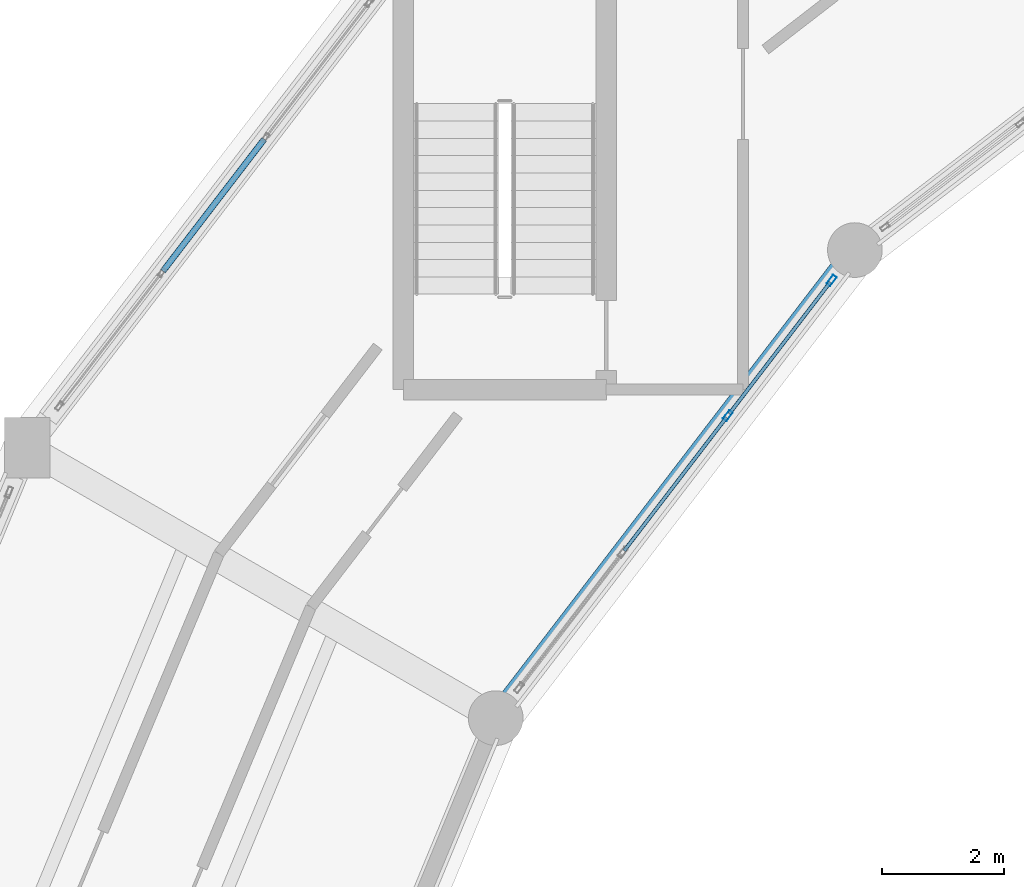
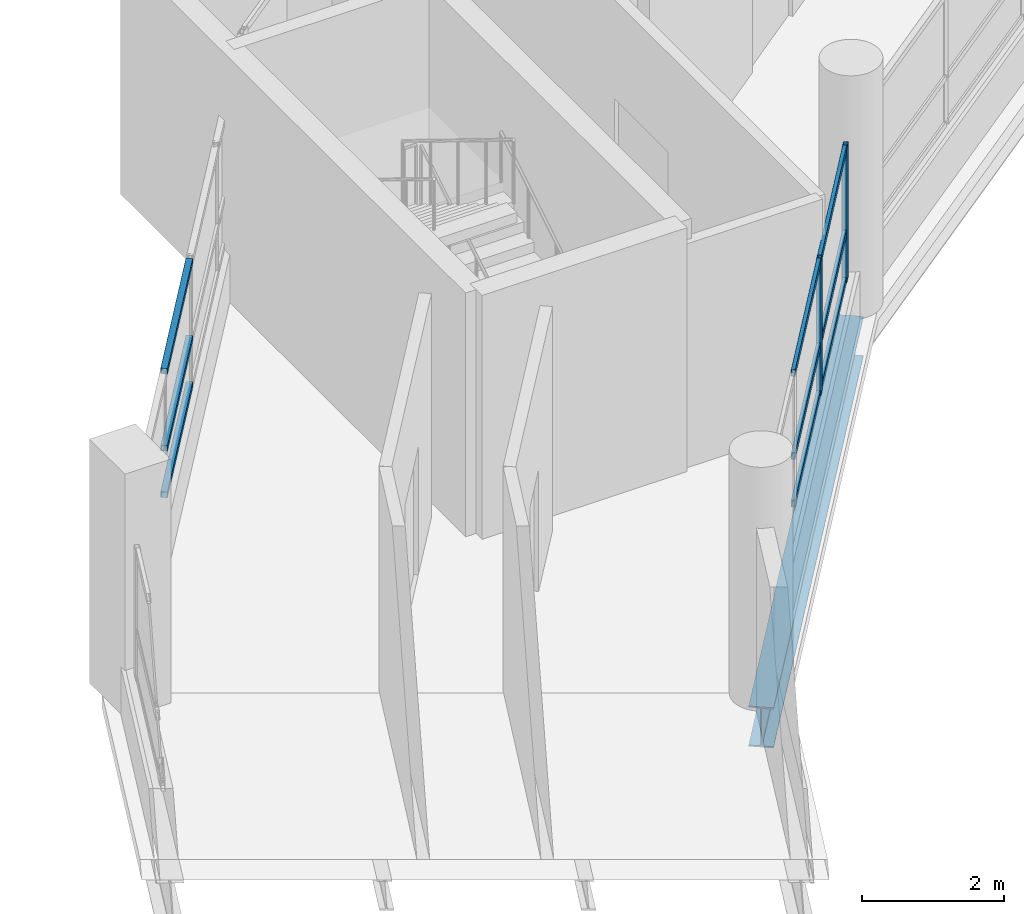
# One storey, part 51 of 128: 11 members, 1 beam, 2 elements without a shape of their own.
"""IFC4 building model written with IfcOpenShell, lengths in metres."""

from ifc_helpers import new_model, si_unit, direction, frame, origin, origin_2d, place, context, subcontext, project, spatial, hollow_rectangle, i_section, extrude, material, layer, layer_set, material_profile, profile_set, type_object, element, aggregate, save


model = new_model("IFC4")

# Units and contexts
model_context = context("Model", 3, precision=1e-05, world=origin(), true_north=direction((0.0, 1.0)))
body_context = subcontext(model_context, "Body", "Model", "MODEL_VIEW")
ifc_project = project(units=[si_unit("LENGTHUNIT", "METRE"), si_unit("AREAUNIT", "SQUARE_METRE"), si_unit("VOLUMEUNIT", "CUBIC_METRE"), si_unit("PLANEANGLEUNIT", "RADIAN"), si_unit("MASSUNIT", "GRAM", prefix="KILO")], contexts=[model_context])

# Site, building, storey
site_placement = place(None, origin())
site = spatial("IfcSite", under=ifc_project, at=site_placement, CompositionType="ELEMENT")
building_placement = place(site_placement, origin())
building = spatial("IfcBuilding", under=site, at=building_placement, Name="Vespera Passage Community Centre", CompositionType="ELEMENT")
storey_placement = place(building_placement, frame((0.0, 0.0, 4.5)))
storey = spatial("IfcBuildingStorey", under=building, at=storey_placement, Name="L01", CompositionType="ELEMENT", Elevation=4.5)

# Beam
ifc_material_1 = material(Name="Steel ASTM A992 Grade 50", Category="steel")
ifc_material_profile_1 = material_profile(ifc_material_1, i_section(OverallWidth=0.3544921875, OverallDepth=0.695556640625, WebThickness=0.015380859375, FlangeThickness=0.024658203125, FilletRadius=0.01513671875, at=origin_2d()), Name="W27X146")
ifc_profile_set_1 = profile_set([ifc_material_profile_1], Name="Steel ASTM A992 Grade 50")
beam_type = type_object("IfcBeamType", Name="BM-SP-W27X146E", PredefinedType="SPANDREL", material=ifc_profile_set_1)
beam_placement = place(storey_placement, frame((51.695556640625, 91.804443359375, -0.587890625), z_axis=(-0.60875291963, -0.793359869694, 0.0), x_axis=(0.793359869694, -0.60875291963, 0.0)))
element("IfcBeam", 1, at=beam_placement, inside=storey, type_object=beam_type, Name="V4 L01 Inner Spandrel 9", PredefinedType="SPANDREL", context=body_context, shape_type="SweptSolid", body=[
    extrude(i_section(OverallWidth=0.3544921875, OverallDepth=0.695556640625, WebThickness=0.015380859375, FlangeThickness=0.024658203125, FilletRadius=0.01513671875, at=origin_2d()), origin(), (0.0, 0.0, 1.0), 9.7109375),
])

# Curtain wall, members
ifc_material_2 = material(Name="Anodized aluminium 6063-T6", Category="aluminium")
ifc_layer_1 = layer(ifc_material_2, 0.159912109375)
ifc_layer_set_1 = layer_set([ifc_layer_1], Name="Anodized aluminium 6063-T6")
curtain_wall_type_1 = type_object("IfcCurtainWallType", Name="CW-19E", PredefinedType="NOTDEFINED", material=ifc_layer_set_1)
curtain_wall_1_placement = place(storey_placement, origin())
curtain_wall_1 = element("IfcCurtainWall", 2, at=curtain_wall_1_placement, inside=storey, type_object=curtain_wall_type_1, Name="V4 L01 Inner Court Curtain Wall 9", PredefinedType="NOTDEFINED")
ifc_material_3 = material(Name="Anodized aluminium 6063-T6", Category="aluminium")
ifc_material_profile_2 = material_profile(ifc_material_3, hollow_rectangle(XDim=0.074951171875, YDim=0.179931640625, WallThickness=0.0048828125, InnerFilletRadius=0.00244140625, OuterFilletRadius=0.0048828125, at=origin_2d()), Name="ALU180X75X5")
ifc_profile_set_2 = profile_set([ifc_material_profile_2], Name="Anodized aluminium 6063-T6")
member_type_1 = type_object("IfcMemberType", Name="MB-CWM-180E", PredefinedType="MULLION", material=ifc_profile_set_2)
member_1_placement = place(storey_placement, frame((51.311767578125, 91.303955078125, 0.820068359375), z_axis=(0.0, 0.0, 1.0), x_axis=(0.793358205999, -0.608755087843, 0.0)))
member_1 = element("IfcMember", 3, at=member_1_placement, type_object=member_type_1, Name="CW-19E mullion 1", PredefinedType="MULLION", context=body_context, shape_type="SweptSolid", body=[
    extrude(hollow_rectangle(XDim=0.074951171875, YDim=0.179931640625, WallThickness=0.0048828125, InnerFilletRadius=0.00244140625, OuterFilletRadius=0.0048828125, at=origin_2d()), origin(), (0.0, 0.0, 1.0), 2.309326171875),
])
member_2_placement = place(storey_placement, frame((49.604736328125, 89.079345703125, 0.820068359375), z_axis=(0.0, 0.0, 1.0), x_axis=(0.793358205999, -0.608755087843, 0.0)))
member_2 = element("IfcMember", 4, at=member_2_placement, type_object=member_type_1, Name="CW-19E mullion 2", PredefinedType="MULLION", context=body_context, shape_type="SweptSolid", body=[
    extrude(hollow_rectangle(XDim=0.074951171875, YDim=0.179931640625, WallThickness=0.0048828125, InnerFilletRadius=0.00244140625, OuterFilletRadius=0.0048828125, at=origin_2d()), origin(), (0.0, 0.0, 1.0), 2.309326171875),
])

ifc_material_4 = material(Name="Anodized aluminium 6063-T6", Category="aluminium")
ifc_layer_2 = layer(ifc_material_4, 0.159912109375)
ifc_layer_set_2 = layer_set([ifc_layer_2], Name="Anodized aluminium 6063-T6")
curtain_wall_type_2 = type_object("IfcCurtainWallType", Name="CW-18E", PredefinedType="NOTDEFINED", material=ifc_layer_set_2)
curtain_wall_2_placement = place(storey_placement, origin())
curtain_wall_2 = element("IfcCurtainWall", 5, at=curtain_wall_2_placement, inside=storey, type_object=curtain_wall_type_2, Name="V4 L01 Outer Ribbon Curtain Wall 9", PredefinedType="NOTDEFINED")
ifc_material_5 = material(Name="Anodized aluminium 6063-T6", Category="aluminium")
ifc_material_profile_3 = material_profile(ifc_material_5, hollow_rectangle(XDim=0.10009765625, YDim=0.10009765625, WallThickness=0.00390625, InnerFilletRadius=0.001953125, OuterFilletRadius=0.00390625, at=origin_2d()), Name="ALU100X100X4")
ifc_profile_set_3 = profile_set([ifc_material_profile_3], Name="Anodized aluminium 6063-T6")
member_type_2 = type_object("IfcMemberType", Name="MB-CWT-100E", PredefinedType="USERDEFINED", material=ifc_profile_set_3)
member_3_placement = place(storey_placement, frame((40.306884765625, 91.457275390625, 0.8701171875), z_axis=(0.608787438682, 0.793333381689, 0.0), x_axis=(-0.793333381689, 0.608787438682, 0.0)))
member_3 = element("IfcMember", 6, at=member_3_placement, type_object=member_type_2, Name="CW-18E transom 2.1", ObjectType="TRANSOM", PredefinedType="USERDEFINED", context=body_context, shape_type="SweptSolid", body=[
    extrude(hollow_rectangle(XDim=0.10009765625, YDim=0.10009765625, WallThickness=0.00390625, InnerFilletRadius=0.001953125, OuterFilletRadius=0.00390625, at=origin_2d()), origin(), (0.0, 0.0, 1.0), 2.73583984375),
])
member_4_placement = place(storey_placement, frame((40.306884765625, 91.457275390625, 1.669921875), z_axis=(0.608787438682, 0.793333381689, 0.0), x_axis=(-0.793333381689, 0.608787438682, 0.0)))
member_4 = element("IfcMember", 7, at=member_4_placement, type_object=member_type_2, Name="CW-18E transom 2.2", ObjectType="TRANSOM", PredefinedType="USERDEFINED", context=body_context, shape_type="SweptSolid", body=[
    extrude(hollow_rectangle(XDim=0.10009765625, YDim=0.10009765625, WallThickness=0.00390625, InnerFilletRadius=0.001953125, OuterFilletRadius=0.00390625, at=origin_2d()), origin(), (0.0, 0.0, 1.0), 2.73583984375),
])
member_5_placement = place(storey_placement, frame((40.306884765625, 91.457275390625, 2.99560546875), z_axis=(0.608787438682, 0.793333381689, 0.0), x_axis=(-0.793333381689, 0.608787438682, 0.0)))
member_5 = element("IfcMember", 8, at=member_5_placement, type_object=member_type_2, Name="CW-18E transom 2.3", ObjectType="TRANSOM", PredefinedType="USERDEFINED", context=body_context, shape_type="SweptSolid", body=[
    extrude(hollow_rectangle(XDim=0.10009765625, YDim=0.10009765625, WallThickness=0.00390625, InnerFilletRadius=0.001953125, OuterFilletRadius=0.00390625, at=origin_2d()), origin(), (0.0, 0.0, 1.0), 2.73583984375),
])
aggregate(curtain_wall_2, [member_3, member_4, member_5])

# Member
ifc_material_6 = material(Name="Anodized aluminium 6063-T6", Category="aluminium")
ifc_material_profile_4 = material_profile(ifc_material_6, hollow_rectangle(XDim=0.06005859375, YDim=0.1201171875, WallThickness=0.00390625, InnerFilletRadius=0.001953125, OuterFilletRadius=0.00390625, at=origin_2d()), Name="ALU120X60X4")
ifc_profile_set_4 = profile_set([ifc_material_profile_4], Name="Anodized aluminium 6063-T6")
member_type_3 = type_object("IfcMemberType", Name="MB-CWT-120E", PredefinedType="USERDEFINED", material=ifc_profile_set_4)
member_6_placement = place(storey_placement, frame((51.288818359375, 91.2744140625, 0.85009765625), z_axis=(-0.608737609183, -0.793371617318, 0.0), x_axis=(0.793371617318, -0.608737609183, 0.0)))
member_6 = element("IfcMember", 9, at=member_6_placement, type_object=member_type_3, Name="CW-19E transom 1.1", ObjectType="TRANSOM", PredefinedType="USERDEFINED", context=body_context, shape_type="SweptSolid", body=[
    extrude(hollow_rectangle(XDim=0.06005859375, YDim=0.1201171875, WallThickness=0.00390625, InnerFilletRadius=0.001953125, OuterFilletRadius=0.00390625, at=origin_2d()), origin(), (0.0, 0.0, 1.0), 2.729248046875),
])

member_7_placement = place(storey_placement, frame((51.288818359375, 91.2744140625, 1.669921875), z_axis=(-0.608737609183, -0.793371617318, 0.0), x_axis=(0.793371617318, -0.608737609183, 0.0)))
member_7 = element("IfcMember", 10, at=member_7_placement, type_object=member_type_3, Name="CW-19E transom 1.2", ObjectType="TRANSOM", PredefinedType="USERDEFINED", context=body_context, shape_type="SweptSolid", body=[
    extrude(hollow_rectangle(XDim=0.06005859375, YDim=0.1201171875, WallThickness=0.00390625, InnerFilletRadius=0.001953125, OuterFilletRadius=0.00390625, at=origin_2d()), origin(), (0.0, 0.0, 1.0), 2.729248046875),
])

member_8_placement = place(storey_placement, frame((51.288818359375, 91.2744140625, 3.099609375), z_axis=(-0.608737609183, -0.793371617318, 0.0), x_axis=(0.793371617318, -0.608737609183, 0.0)))
member_8 = element("IfcMember", 11, at=member_8_placement, type_object=member_type_3, Name="CW-19E transom 1.3", ObjectType="TRANSOM", PredefinedType="USERDEFINED", context=body_context, shape_type="SweptSolid", body=[
    extrude(hollow_rectangle(XDim=0.06005859375, YDim=0.1201171875, WallThickness=0.00390625, InnerFilletRadius=0.001953125, OuterFilletRadius=0.00390625, at=origin_2d()), origin(), (0.0, 0.0, 1.0), 2.729248046875),
])

member_9_placement = place(storey_placement, frame((49.581787109375, 89.049560546875, 0.85009765625), z_axis=(-0.608746452695, -0.793364831796, 0.0), x_axis=(0.793364831796, -0.608746452695, 0.0)))
member_9 = element("IfcMember", 12, at=member_9_placement, type_object=member_type_3, Name="CW-19E transom 2.1", ObjectType="TRANSOM", PredefinedType="USERDEFINED", context=body_context, shape_type="SweptSolid", body=[
    extrude(hollow_rectangle(XDim=0.06005859375, YDim=0.1201171875, WallThickness=0.00390625, InnerFilletRadius=0.001953125, OuterFilletRadius=0.00390625, at=origin_2d()), origin(), (0.0, 0.0, 1.0), 2.766357421875),
])

member_10_placement = place(storey_placement, frame((49.581787109375, 89.049560546875, 1.669921875), z_axis=(-0.608746452695, -0.793364831796, 0.0), x_axis=(0.793364831796, -0.608746452695, 0.0)))
member_10 = element("IfcMember", 13, at=member_10_placement, type_object=member_type_3, Name="CW-19E transom 2.2", ObjectType="TRANSOM", PredefinedType="USERDEFINED", context=body_context, shape_type="SweptSolid", body=[
    extrude(hollow_rectangle(XDim=0.06005859375, YDim=0.1201171875, WallThickness=0.00390625, InnerFilletRadius=0.001953125, OuterFilletRadius=0.00390625, at=origin_2d()), origin(), (0.0, 0.0, 1.0), 2.766357421875),
])

member_11_placement = place(storey_placement, frame((49.581787109375, 89.049560546875, 3.099609375), z_axis=(-0.608746452695, -0.793364831796, 0.0), x_axis=(0.793364831796, -0.608746452695, 0.0)))
member_11 = element("IfcMember", 14, at=member_11_placement, type_object=member_type_3, Name="CW-19E transom 2.3", ObjectType="TRANSOM", PredefinedType="USERDEFINED", context=body_context, shape_type="SweptSolid", body=[
    extrude(hollow_rectangle(XDim=0.06005859375, YDim=0.1201171875, WallThickness=0.00390625, InnerFilletRadius=0.001953125, OuterFilletRadius=0.00390625, at=origin_2d()), origin(), (0.0, 0.0, 1.0), 2.766357421875),
])

aggregate(curtain_wall_1, [member_1, member_2, member_6, member_7, member_8, member_9, member_10, member_11])

save(model, "model.ifc")
